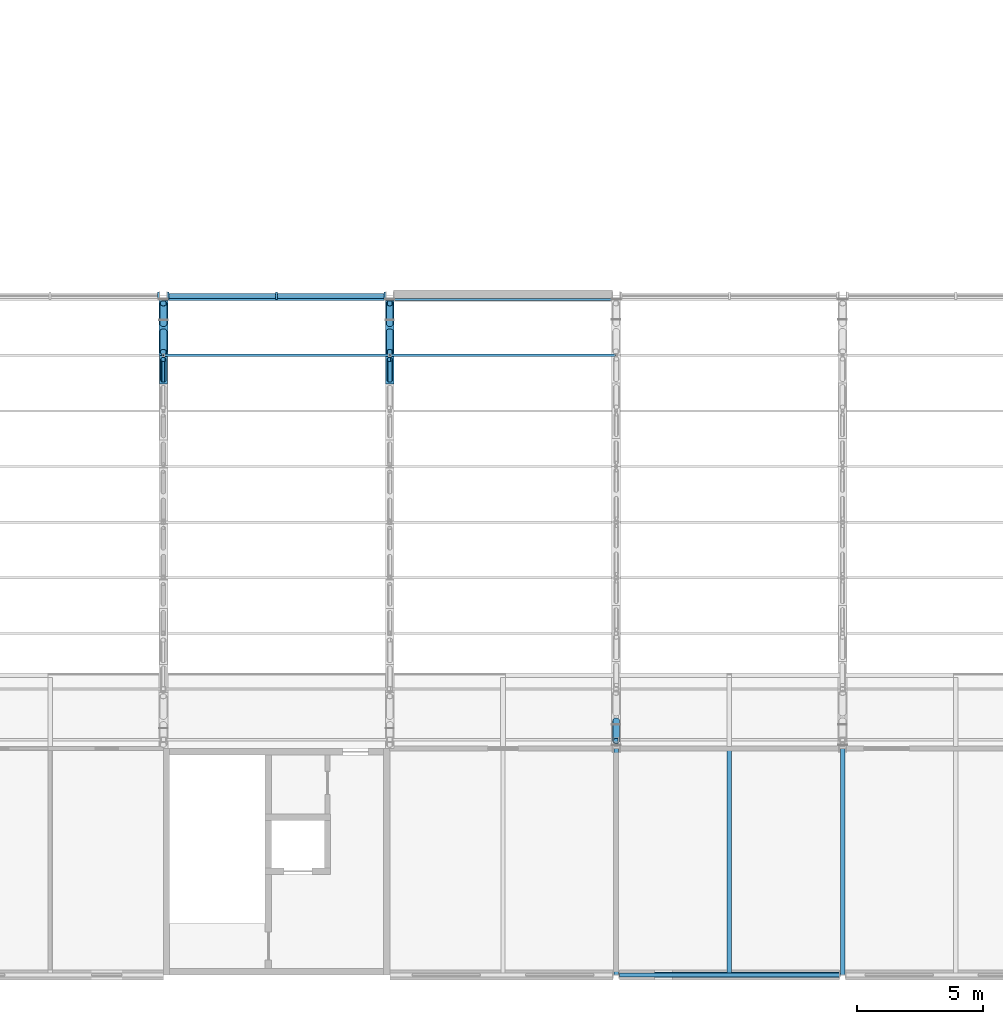
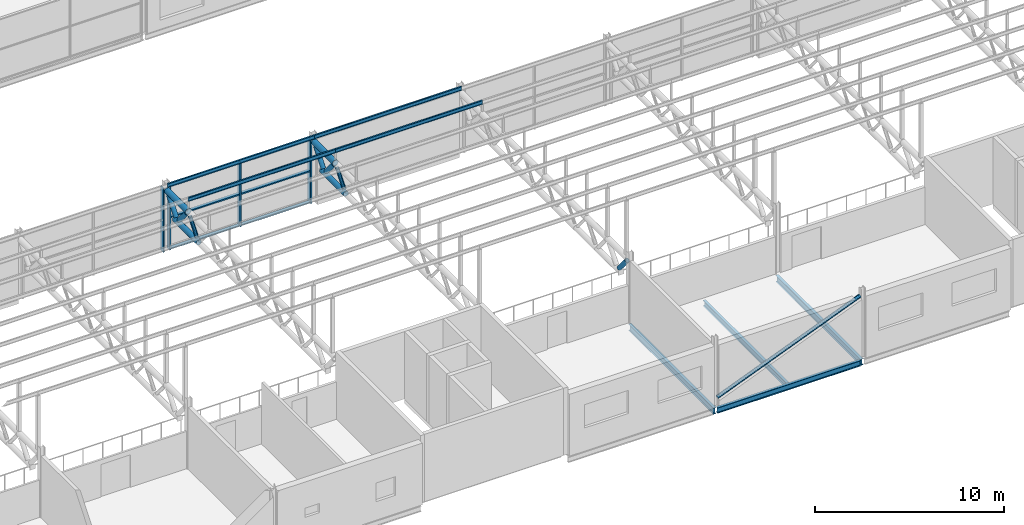
# One storey, part 50 of 138: 26 members, 4 beams, 2 elements without a shape of their own.
"""IFC4 building model written with IfcOpenShell, lengths in metres."""

from ifc_helpers import new_model, si_unit, direction, frame, origin, origin_2d, place, context, subcontext, project, spatial, rectangle, hollow_circle, i_section, extrude, material, layer, layer_set, material_profile, profile_set, type_object, element, aggregate, save


model = new_model("IFC4")

# Units and contexts
model_context = context("Model", 3, precision=1e-05, world=origin(), true_north=direction((0.0, 1.0)))
body_context = subcontext(model_context, "Body", "Model", "MODEL_VIEW")
ifc_project = project(units=[si_unit("LENGTHUNIT", "METRE"), si_unit("AREAUNIT", "SQUARE_METRE"), si_unit("VOLUMEUNIT", "CUBIC_METRE"), si_unit("PLANEANGLEUNIT", "RADIAN"), si_unit("MASSUNIT", "GRAM", prefix="KILO")], contexts=[model_context])

# Site, building, storey
site_placement = place(None, origin())
site = spatial("IfcSite", under=ifc_project, at=site_placement, CompositionType="ELEMENT")
building_placement = place(site_placement, origin())
building = spatial("IfcBuilding", under=site, at=building_placement, Name="Corbel Yard City Hall", CompositionType="ELEMENT")
storey_placement = place(building_placement, frame((0.0, 0.0, 10.5)))
storey = spatial("IfcBuildingStorey", under=building, at=storey_placement, Name="L02", CompositionType="ELEMENT", Elevation=10.5)

# Beams
ifc_material_1 = material(Name="Steel Grade 300 (300 MPa yield)", Category="steel")
ifc_material_profile_1 = material_profile(ifc_material_1, i_section(OverallWidth=0.177978515625, OverallDepth=0.403076171875, WebThickness=0.007568359375, FlangeThickness=0.010986328125, at=origin_2d()), Name="410UB53.7")
ifc_profile_set_1 = profile_set([ifc_material_profile_1], Name="Steel Grade 300 (300 MPa yield)")
beam_type_1 = type_object("IfcBeamType", Name="Beam 410UB53.7", PredefinedType="BEAM", material=ifc_profile_set_1)
for number, where, z_axis, x_axis, name in (
    (1, (99.0, 0.00537109375, -0.3515625), (0.0, 1.0, 0.0), (-1.0, 0.0, 0.0), "Beam 410UB53.7 SB6 L02floor"),
    (2, (108.0, 0.00537109375, -0.3515625), (0.0, 1.0, 0.0), (-1.0, 0.0, 0.0), "Beam 410UB53.7 SB6 L02floor"),
):
    element("IfcBeam", number, at=place(storey_placement, frame(where, z_axis=z_axis, x_axis=x_axis)), inside=storey, type_object=beam_type_1, Name=name, PredefinedType="BEAM", context=body_context, shape_type="SweptSolid", body=[
        extrude(i_section(OverallWidth=0.177978515625, OverallDepth=0.403076171875, WebThickness=0.007568359375, FlangeThickness=0.010986328125, at=origin_2d()), origin(), (0.0, 0.0, 1.0), 8.98876953125),
    ])

# Members
ifc_material_2 = material(Name="Steel Grade C350L0", Category="steel")
ifc_material_profile_2 = material_profile(ifc_material_2, hollow_circle(Radius=0.109619140625, WallThickness=0.00830078125, at=origin_2d()), Name="219.1x8.2CHS")
ifc_profile_set_2 = profile_set([ifc_material_profile_2], Name="Steel Grade C350L0")
member_type_1 = type_object("IfcMemberType", Name="Braced bay diagonal 219.1x8.2CHS", PredefinedType="BRACE", material=ifc_profile_set_2)
member_1_placement = place(storey_placement, frame((99.126953125, 0.0, 0.5), z_axis=(0.928419485655, 0.0, 0.371533657502), x_axis=(0.0, 1.0, 0.0)))
element("IfcMember", 3, at=member_1_placement, inside=storey, type_object=member_type_1, Name="Brace 219.1x8.2CHS BR2", PredefinedType="BRACE", context=body_context, shape_type="SweptSolid", body=[
    extrude(hollow_circle(Radius=0.109619140625, WallThickness=0.00830078125, at=origin_2d()), origin(), (0.0, 0.0, 1.0), 9.42041015625),
])
ifc_material_profile_3 = material_profile(ifc_material_1, i_section(OverallWidth=0.090087890625, OverallDepth=0.25, WebThickness=0.008056640625, FlangeThickness=0.014892578125, at=origin_2d()), Name="250PFC")
ifc_profile_set_3 = profile_set([ifc_material_profile_3], Name="Steel Grade 300 (300 MPa yield)")
member_type_2 = type_object("IfcMemberType", Name="Eaves purlin 250PFC", PredefinedType="PURLIN", material=ifc_profile_set_3)
for number, where, z_axis, x_axis, name in (
    (4, (81.0, 26.847412109375, 4.24658203125), (1.0, 0.0, 0.0), (0.0, 1.0, 0.0), "Eaves purlin 250PFC PU2"),
    (5, (90.0, 26.847412109375, 4.24658203125), (1.0, 0.0, 0.0), (0.0, 1.0, 0.0), "Eaves purlin 250PFC PU2"),
):
    element("IfcMember", number, at=place(storey_placement, frame(where, z_axis=z_axis, x_axis=x_axis)), inside=storey, type_object=member_type_2, Name=name, PredefinedType="PURLIN", context=body_context, shape_type="SweptSolid", body=[
        extrude(i_section(OverallWidth=0.090087890625, OverallDepth=0.25, WebThickness=0.008056640625, FlangeThickness=0.014892578125, at=origin_2d()), origin(), (0.0, 0.0, 1.0), 9.0),
    ])

# Beam
ifc_material_profile_4 = material_profile(ifc_material_1, i_section(OverallWidth=0.172119140625, OverallDepth=0.35888671875, WebThickness=0.008056640625, FlangeThickness=0.012939453125, at=origin_2d()), Name="360UB56.7")
ifc_profile_set_4 = profile_set([ifc_material_profile_4], Name="Steel Grade 300 (300 MPa yield)")
beam_type_2 = type_object("IfcBeamType", Name="Edge beam 360UB56.7", PredefinedType="BEAM", material=ifc_profile_set_4)
beam_1_placement = place(storey_placement, frame((99.1298828125, 0.0, -0.32958984375), z_axis=(1.0, 0.0, 0.0), x_axis=(0.0, 1.0, 0.0)))
element("IfcBeam", 6, at=beam_1_placement, inside=storey, type_object=beam_type_2, Name="Edge beam 360UB56.7 EB4 L02floor", PredefinedType="BEAM", context=body_context, shape_type="SweptSolid", body=[
    extrude(i_section(OverallWidth=0.172119140625, OverallDepth=0.35888671875, WebThickness=0.008056640625, FlangeThickness=0.012939453125, at=origin_2d()), origin(), (0.0, 0.0, 1.0), 8.740234375),
])

# Members
ifc_material_profile_5 = material_profile(ifc_material_2, hollow_circle(Radius=0.161865234375, WallThickness=0.0126953125, at=origin_2d()), Name="323.9x12.7CHS")
ifc_profile_set_5 = profile_set([ifc_material_profile_5], Name="Steel Grade C350L0")
member_type_3 = type_object("IfcMemberType", Name="Hall roof truss bottom chord 323.9x12.7CHS", PredefinedType="CHORD", material=ifc_profile_set_5)
for number, where, z_axis, x_axis, name in (
    (7, (81.0, 23.5009765625, 2.59228515625), (0.0, 1.0, 0.0), (-1.0, 0.0, 0.0), "Hall roof truss bottom chord 323.9x12.7CHS TC2"),
    (8, (90.0, 23.5009765625, 2.59228515625), (0.0, 1.0, 0.0), (-1.0, 0.0, 0.0), "Hall roof truss bottom chord 323.9x12.7CHS TC2"),
):
    element("IfcMember", number, at=place(storey_placement, frame(where, z_axis=z_axis, x_axis=x_axis)), inside=storey, type_object=member_type_3, Name=name, PredefinedType="CHORD", context=body_context, shape_type="SweptSolid", body=[
        extrude(hollow_circle(Radius=0.161865234375, WallThickness=0.0126953125, at=origin_2d()), origin(), (0.0, 0.0, 1.0), 2.531005859375),
    ])
ifc_material_profile_6 = material_profile(ifc_material_2, hollow_circle(Radius=0.109619140625, WallThickness=0.00830078125, at=origin_2d()), Name="219.1x8.2CHS")
ifc_profile_set_6 = profile_set([ifc_material_profile_6], Name="Steel Grade C350L0")
member_type_4 = type_object("IfcMemberType", Name="Hall roof truss diagonal 219.1x8.2CHS", PredefinedType="STRUT", material=ifc_profile_set_6)
for number, where, z_axis, x_axis, name in (
    (9, (81.0, 23.650146484375, 2.77001953125), (0.0, 0.642692233301, 0.766124463292), (-1.0, 0.0, 0.0), "Hall roof truss diagonal 219.1x8.2CHS TD2"),
    (10, (90.0, 23.650146484375, 2.77001953125), (0.0, 0.642692233301, 0.766124463292), (-1.0, 0.0, 0.0), "Hall roof truss diagonal 219.1x8.2CHS TD2"),
):
    element("IfcMember", number, at=place(storey_placement, frame(where, z_axis=z_axis, x_axis=x_axis)), inside=storey, type_object=member_type_4, Name=name, PredefinedType="STRUT", context=body_context, shape_type="SweptSolid", body=[
        extrude(hollow_circle(Radius=0.109619140625, WallThickness=0.00830078125, at=origin_2d()), origin(), (0.0, 0.0, 1.0), 1.271728515625),
    ])
ifc_material_profile_7 = material_profile(ifc_material_2, hollow_circle(Radius=0.136474609375, WallThickness=0.00927734375, at=origin_2d()), Name="273.1x9.3CHS")
ifc_profile_set_7 = profile_set([ifc_material_profile_7], Name="Steel Grade C350L0")
member_type_5 = type_object("IfcMemberType", Name="Hall roof truss diagonal 273.1x9.3CHS", PredefinedType="STRUT", material=ifc_profile_set_7)
for number, where, z_axis, x_axis, name in (
    (11, (81.0, 24.765625, 3.744384765625), (0.0, 0.642692233301, -0.766124463292), (-1.0, 0.0, 0.0), "Hall roof truss diagonal 273.1x9.3CHS TD1"),
    (12, (81.0, 25.881103515625, 2.77001953125), (0.0, 0.642692233301, 0.766124463292), (-1.0, 0.0, 0.0), "Hall roof truss diagonal 273.1x9.3CHS TD1"),
    (13, (90.0, 24.765625, 3.744384765625), (0.0, 0.642692233301, -0.766124463292), (-1.0, 0.0, 0.0), "Hall roof truss diagonal 273.1x9.3CHS TD1"),
    (14, (90.0, 25.881103515625, 2.77001953125), (0.0, 0.642692233301, 0.766124463292), (-1.0, 0.0, 0.0), "Hall roof truss diagonal 273.1x9.3CHS TD1"),
):
    element("IfcMember", number, at=place(storey_placement, frame(where, z_axis=z_axis, x_axis=x_axis)), inside=storey, type_object=member_type_5, Name=name, PredefinedType="STRUT", context=body_context, shape_type="SweptSolid", body=[
        extrude(hollow_circle(Radius=0.136474609375, WallThickness=0.00927734375, at=origin_2d()), origin(), (0.0, 0.0, 1.0), 1.271728515625),
    ])
member_2_placement = place(storey_placement, frame((99.0, 9.30029296875, 3.744384765625), z_axis=(0.0, 0.639407153698, -0.768868318894), x_axis=(-1.0, 0.0, 0.0)))
element("IfcMember", 15, at=member_2_placement, inside=storey, type_object=member_type_5, Name="Hall roof truss diagonal 273.1x9.3CHS TD1", PredefinedType="STRUT", context=body_context, shape_type="SweptSolid", body=[
    extrude(hollow_circle(Radius=0.136474609375, WallThickness=0.00927734375, at=origin_2d()), origin(), (0.0, 0.0, 1.0), 1.267333984375),
])
ifc_material_profile_8 = material_profile(ifc_material_2, hollow_circle(Radius=0.177734375, WallThickness=0.0126953125, at=origin_2d()), Name="355.6x12.7CHS")
ifc_profile_set_8 = profile_set([ifc_material_profile_8], Name="Steel Grade C350L0")
member_type_6 = type_object("IfcMemberType", Name="Hall roof truss top chord 355.6x12.7CHS", PredefinedType="CHORD", material=ifc_profile_set_8)
for number, where, z_axis, x_axis, name in (
    (16, (81.0, 24.616455078125, 3.922119140625), (0.0, 1.0, 0.0), (-1.0, 0.0, 0.0), "Hall roof truss top chord 355.6x12.7CHS TC1"),
    (17, (90.0, 24.616455078125, 3.922119140625), (0.0, 1.0, 0.0), (-1.0, 0.0, 0.0), "Hall roof truss top chord 355.6x12.7CHS TC1"),
):
    element("IfcMember", number, at=place(storey_placement, frame(where, z_axis=z_axis, x_axis=x_axis)), inside=storey, type_object=member_type_6, Name=name, PredefinedType="CHORD", context=body_context, shape_type="SweptSolid", body=[
        extrude(hollow_circle(Radius=0.177734375, WallThickness=0.0126953125, at=origin_2d()), origin(), (0.0, 0.0, 1.0), 2.23095703125),
    ])

# Curtain wall, member
ifc_material_3 = material(Name="Aluminium extrusion", Category="aluminium")
ifc_layer = layer(ifc_material_3, 0.300048828125)
ifc_layer_set = layer_set([ifc_layer], Name="Aluminium extrusion")
curtain_wall_type = type_object("IfcCurtainWallType", Name="CW7", PredefinedType="USERDEFINED", material=ifc_layer_set)
curtain_wall_1_placement = place(storey_placement, origin())
curtain_wall_1 = element("IfcCurtainWall", 18, at=curtain_wall_1_placement, inside=storey, type_object=curtain_wall_type, Name="Curtain wall CW7 L02", ObjectType="CURTAIN WALL", PredefinedType="USERDEFINED")
ifc_material_profile_9 = material_profile(ifc_material_3, rectangle(XDim=0.300048828125, YDim=0.080078125, at=origin_2d()), Name="300x80")
ifc_profile_set_9 = profile_set([ifc_material_profile_9], Name="Aluminium extrusion")
member_type_7 = type_object("IfcMemberType", Name="ML7", PredefinedType="MULLION", material=ifc_profile_set_9)
member_3_placement = place(storey_placement, frame((80.805908203125, 27.0, 0.0), z_axis=(0.0, 0.0, 1.0), x_axis=(0.0, 1.0, 0.0)))
member_3 = element("IfcMember", 19, at=member_3_placement, type_object=member_type_7, Name="CW7 mullion 3", PredefinedType="MULLION", context=body_context, shape_type="SweptSolid", body=[
    extrude(rectangle(XDim=0.300048828125, YDim=0.080078125, at=origin_2d()), origin(), (0.0, 0.0, 1.0), 4.12158203125),
])
aggregate(curtain_wall_1, [member_3])

# Curtain wall, members
curtain_wall_2_placement = place(storey_placement, origin())
curtain_wall_2 = element("IfcCurtainWall", 20, at=curtain_wall_2_placement, inside=storey, type_object=curtain_wall_type, Name="Curtain wall CW7 L02", ObjectType="CURTAIN WALL", PredefinedType="USERDEFINED")
member_4_placement = place(storey_placement, frame((81.194091796875, 27.0, 0.0), z_axis=(0.0, 0.0, 1.0), x_axis=(0.0, 1.0, 0.0)))
member_4 = element("IfcMember", 21, at=member_4_placement, type_object=member_type_7, Name="CW7 mullion 1", PredefinedType="MULLION", context=body_context, shape_type="SweptSolid", body=[
    extrude(rectangle(XDim=0.300048828125, YDim=0.080078125, at=origin_2d()), origin(), (0.0, 0.0, 1.0), 4.12158203125),
])
member_5_placement = place(storey_placement, frame((85.5, 27.0, 0.0), z_axis=(0.0, 0.0, 1.0), x_axis=(0.0, 1.0, 0.0)))
member_5 = element("IfcMember", 22, at=member_5_placement, type_object=member_type_7, Name="CW7 mullion 2", PredefinedType="MULLION", context=body_context, shape_type="SweptSolid", body=[
    extrude(rectangle(XDim=0.300048828125, YDim=0.080078125, at=origin_2d()), origin(), (0.0, 0.0, 1.0), 4.12158203125),
])
member_6_placement = place(storey_placement, frame((89.805908203125, 27.0, 0.0), z_axis=(0.0, 0.0, 1.0), x_axis=(0.0, 1.0, 0.0)))
member_6 = element("IfcMember", 23, at=member_6_placement, type_object=member_type_7, Name="CW7 mullion 3", PredefinedType="MULLION", context=body_context, shape_type="SweptSolid", body=[
    extrude(rectangle(XDim=0.300048828125, YDim=0.080078125, at=origin_2d()), origin(), (0.0, 0.0, 1.0), 4.12158203125),
])

# Members
ifc_material_profile_10 = material_profile(ifc_material_1, i_section(OverallWidth=0.090087890625, OverallDepth=0.25, WebThickness=0.008056640625, FlangeThickness=0.014892578125, at=origin_2d()), Name="250PFC")
ifc_profile_set_10 = profile_set([ifc_material_profile_10], Name="Steel Grade 300 (300 MPa yield)")
member_type_8 = type_object("IfcMemberType", Name="Purlin 250PFC", PredefinedType="PURLIN", material=ifc_profile_set_10)
for number, where, z_axis, x_axis, name in (
    (24, (81.0, 24.6357421875, 4.68896484375), (1.0, 0.0, 0.0), (0.0, 1.0, 0.0), "Purlin 250PFC PU1"),
    (25, (90.0, 24.6357421875, 4.68896484375), (1.0, 0.0, 0.0), (0.0, 1.0, 0.0), "Purlin 250PFC PU1"),
):
    element("IfcMember", number, at=place(storey_placement, frame(where, z_axis=z_axis, x_axis=x_axis)), inside=storey, type_object=member_type_8, Name=name, PredefinedType="PURLIN", context=body_context, shape_type="SweptSolid", body=[
        extrude(i_section(OverallWidth=0.090087890625, OverallDepth=0.25, WebThickness=0.008056640625, FlangeThickness=0.014892578125, at=origin_2d()), origin(), (0.0, 0.0, 1.0), 9.0),
    ])

# Beam
ifc_material_profile_11 = material_profile(ifc_material_1, i_section(OverallWidth=0.1708984375, OverallDepth=0.35595703125, WebThickness=0.00732421875, FlangeThickness=0.011474609375, at=origin_2d()), Name="360UB50.7")
ifc_profile_set_11 = profile_set([ifc_material_profile_11], Name="Steel Grade 300 (300 MPa yield)")
beam_type_3 = type_object("IfcBeamType", Name="Secondary beam 360UB50.7", PredefinedType="JOIST", material=ifc_profile_set_11)
beam_2_placement = place(storey_placement, frame((103.5, 0.0859375, -0.327880859375), z_axis=(0.0, 1.0, 0.0), x_axis=(-1.0, 0.0, 0.0)))
element("IfcBeam", 26, at=beam_2_placement, inside=storey, type_object=beam_type_3, Name="Secondary beam 360UB50.7 SB10 L02floor", PredefinedType="JOIST", context=body_context, shape_type="SweptSolid", body=[
    extrude(i_section(OverallWidth=0.1708984375, OverallDepth=0.35595703125, WebThickness=0.00732421875, FlangeThickness=0.011474609375, at=origin_2d()), origin(), (0.0, 0.0, 1.0), 8.828125),
])

# Member
ifc_material_profile_12 = material_profile(ifc_material_3, rectangle(XDim=0.199951171875, YDim=0.080078125, at=origin_2d()), Name="200x80")
ifc_profile_set_12 = profile_set([ifc_material_profile_12], Name="Aluminium extrusion")
member_type_9 = type_object("IfcMemberType", Name="TR7", PredefinedType="USERDEFINED", material=ifc_profile_set_12)
member_7_placement = place(storey_placement, frame((81.23388671875, 27.0, 0.0400390625), z_axis=(1.0, 0.0, 0.0), x_axis=(0.0, 1.0, 0.0)))
member_7 = element("IfcMember", 27, at=member_7_placement, type_object=member_type_9, Name="CW7 transom 1.1", ObjectType="TRANSOM", PredefinedType="USERDEFINED", context=body_context, shape_type="SweptSolid", body=[
    extrude(rectangle(XDim=0.199951171875, YDim=0.080078125, at=origin_2d()), origin(), (0.0, 0.0, 1.0), 4.22607421875),
])

member_8_placement = place(storey_placement, frame((81.23388671875, 27.0, 2.060791015625), z_axis=(1.0, 0.0, 0.0), x_axis=(0.0, 1.0, 0.0)))
member_8 = element("IfcMember", 28, at=member_8_placement, type_object=member_type_9, Name="CW7 transom 1.2", ObjectType="TRANSOM", PredefinedType="USERDEFINED", context=body_context, shape_type="SweptSolid", body=[
    extrude(rectangle(XDim=0.199951171875, YDim=0.080078125, at=origin_2d()), origin(), (0.0, 0.0, 1.0), 4.22607421875),
])

member_9_placement = place(storey_placement, frame((81.23388671875, 27.0, 4.08154296875), z_axis=(1.0, 0.0, 0.0), x_axis=(0.0, 1.0, 0.0)))
member_9 = element("IfcMember", 29, at=member_9_placement, type_object=member_type_9, Name="CW7 transom 1.3", ObjectType="TRANSOM", PredefinedType="USERDEFINED", context=body_context, shape_type="SweptSolid", body=[
    extrude(rectangle(XDim=0.199951171875, YDim=0.080078125, at=origin_2d()), origin(), (0.0, 0.0, 1.0), 4.22607421875),
])

member_10_placement = place(storey_placement, frame((85.5400390625, 27.0, 0.0400390625), z_axis=(1.0, 0.0, 0.0), x_axis=(0.0, 1.0, 0.0)))
member_10 = element("IfcMember", 30, at=member_10_placement, type_object=member_type_9, Name="CW7 transom 2.1", ObjectType="TRANSOM", PredefinedType="USERDEFINED", context=body_context, shape_type="SweptSolid", body=[
    extrude(rectangle(XDim=0.199951171875, YDim=0.080078125, at=origin_2d()), origin(), (0.0, 0.0, 1.0), 4.22607421875),
])

member_11_placement = place(storey_placement, frame((85.5400390625, 27.0, 2.060791015625), z_axis=(1.0, 0.0, 0.0), x_axis=(0.0, 1.0, 0.0)))
member_11 = element("IfcMember", 31, at=member_11_placement, type_object=member_type_9, Name="CW7 transom 2.2", ObjectType="TRANSOM", PredefinedType="USERDEFINED", context=body_context, shape_type="SweptSolid", body=[
    extrude(rectangle(XDim=0.199951171875, YDim=0.080078125, at=origin_2d()), origin(), (0.0, 0.0, 1.0), 4.22607421875),
])

member_12_placement = place(storey_placement, frame((85.5400390625, 27.0, 4.08154296875), z_axis=(1.0, 0.0, 0.0), x_axis=(0.0, 1.0, 0.0)))
member_12 = element("IfcMember", 32, at=member_12_placement, type_object=member_type_9, Name="CW7 transom 2.3", ObjectType="TRANSOM", PredefinedType="USERDEFINED", context=body_context, shape_type="SweptSolid", body=[
    extrude(rectangle(XDim=0.199951171875, YDim=0.080078125, at=origin_2d()), origin(), (0.0, 0.0, 1.0), 4.22607421875),
])

aggregate(curtain_wall_2, [member_4, member_5, member_6, member_7, member_8, member_9, member_10, member_11, member_12])

save(model, "model.ifc")
